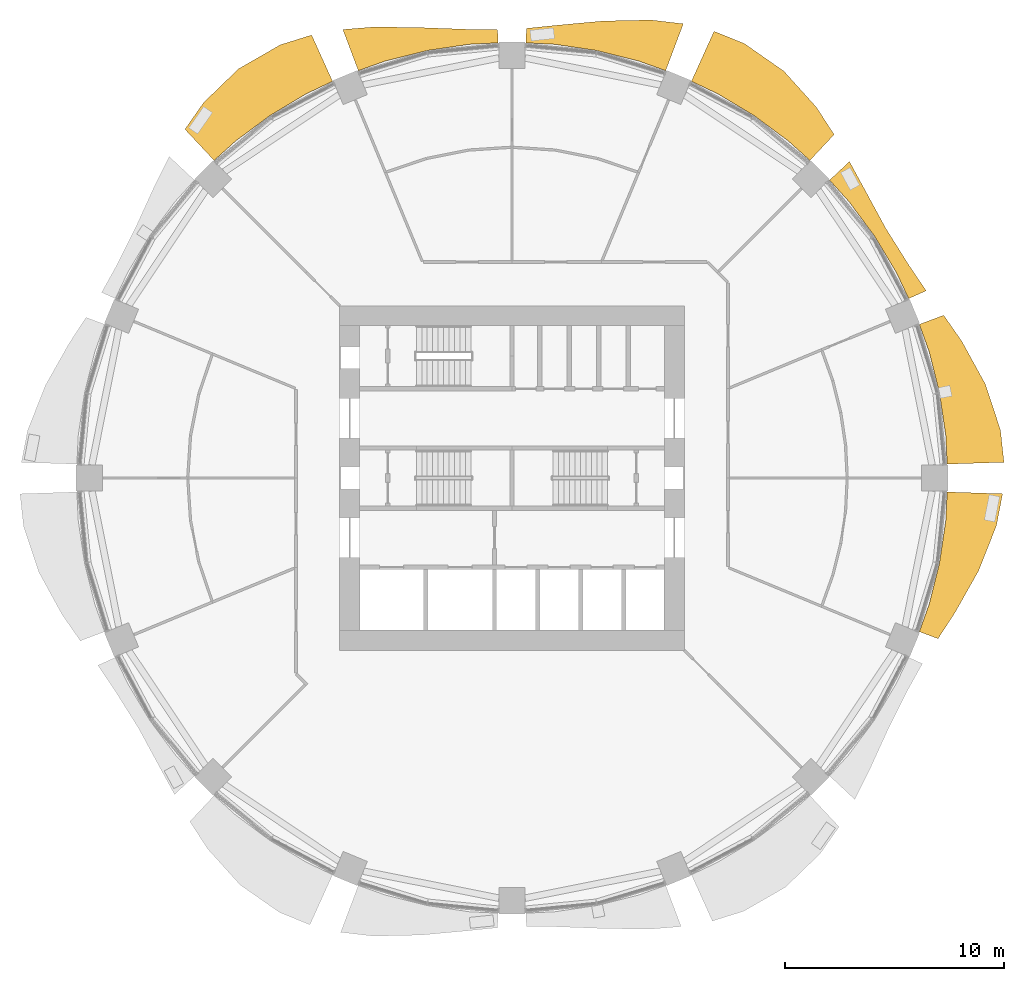
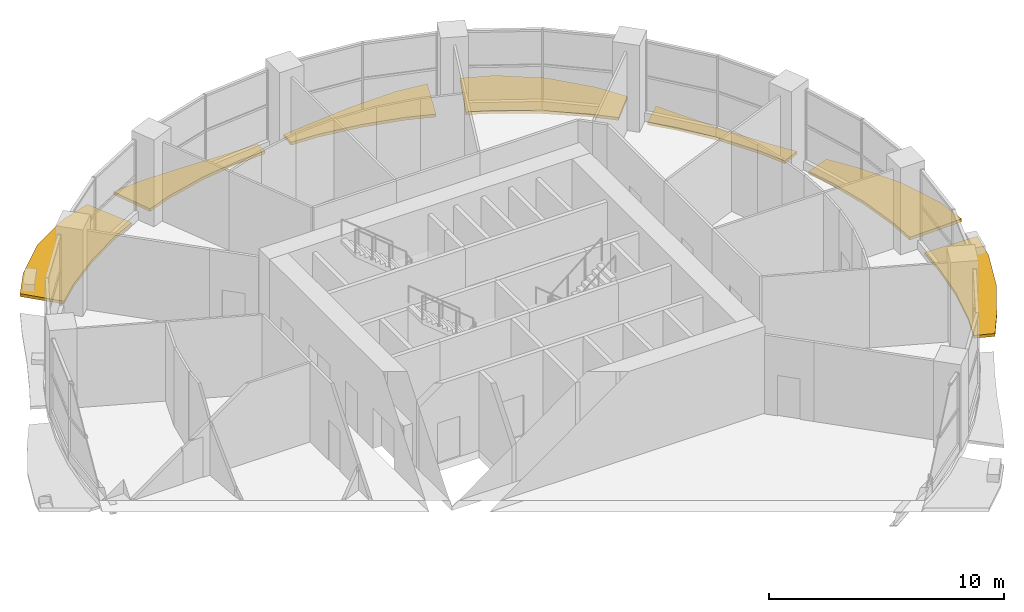
# One storey, part 13 of 14: 7 shading devices.
"""IFC4 building model written with IfcOpenShell, lengths in metres."""

from ifc_helpers import new_model, si_unit, direction, frame, origin, place, context, subcontext, project, spatial, polyline, outline, extrude, material, type_object, element, save


model = new_model("IFC4")

# Units and contexts
model_context = context("Model", 3, precision=1e-05, world=origin(), true_north=direction((0.0, 1.0)))
body_context = subcontext(model_context, "Body", "Model", "MODEL_VIEW")
ifc_project = project(units=[si_unit("LENGTHUNIT", "METRE"), si_unit("AREAUNIT", "SQUARE_METRE"), si_unit("VOLUMEUNIT", "CUBIC_METRE"), si_unit("PLANEANGLEUNIT", "RADIAN"), si_unit("MASSUNIT", "GRAM", prefix="KILO")], contexts=[model_context])

# Site, building, storey
site_placement = place(None, origin())
site = spatial("IfcSite", under=ifc_project, at=site_placement, CompositionType="ELEMENT")
building_placement = place(site_placement, origin())
building = spatial("IfcBuilding", under=site, at=building_placement, Name="Polderwave Tower", CompositionType="ELEMENT")
storey_placement = place(building_placement, frame((0.0, 0.0, 9.89990234375)))
storey = spatial("IfcBuildingStorey", under=building, at=storey_placement, Name="L02", CompositionType="ELEMENT", Elevation=9.89990234375)

# Shading devices
ifc_material = material(Name="Terracotta", Category="masonry")
shading_device_type = type_object("IfcShadingDeviceType", Name="Terracotta sunshade band", PredefinedType="USERDEFINED", material=ifc_material)
shading_device_1_placement = place(storey_placement, frame((0.0, 0.0, -0.39990234375)))
element("IfcShadingDevice", 1, at=shading_device_1_placement, inside=storey, type_object=shading_device_type, Name="Sunshade band L02 1", ObjectType="SUNSHADE", PredefinedType="USERDEFINED", context=body_context, shape_type="SweptSolid", body=[
    extrude(outline(polyline([(19.888671875, 0.637451171875), (19.82421875, 1.952392578125), (19.537109375, 3.88623046875), (19.062255859375, 5.782470703125), (18.61865234375, 7.022216796875), (19.730224609375, 7.44140625), (20.566650390625, 6.23876953125), (21.62841796875, 4.30224609375), (22.324951171875, 2.19873046875), (22.487060546875, 0.720703125), (19.888671875, 0.637451171875)])), origin(), (0.0, 0.0, 1.0), 0.14990234375),
])
shading_device_2_placement = place(storey_placement, frame((0.0, 0.0, -0.39990234375)))
element("IfcShadingDevice", 2, at=shading_device_2_placement, inside=storey, type_object=shading_device_type, Name="Sunshade band L02 2", ObjectType="SUNSHADE", PredefinedType="USERDEFINED", context=body_context, shape_type="SweptSolid", body=[
    extrude(outline(polyline([(18.130859375, 8.199951171875), (17.56787109375, 9.39013671875), (16.56298828125, 11.06689453125), (15.3984375, 12.63720703125), (14.51416015625, 13.61279296875), (15.423583984375, 14.4658203125), (16.10400390625, 13.21630859375), (17.08251953125, 11.414306640625), (18.155029296875, 9.7041015625), (18.92919921875, 8.56103515625), (18.130859375, 8.199951171875)])), origin(), (0.0, 0.0, 1.0), 0.14990234375),
])
shading_device_3_placement = place(storey_placement, frame((0.0, 0.0, -0.39990234375)))
element("IfcShadingDevice", 3, at=shading_device_3_placement, inside=storey, type_object=shading_device_type, Name="Sunshade band L02 3", ObjectType="SUNSHADE", PredefinedType="USERDEFINED", context=body_context, shape_type="SweptSolid", body=[
    extrude(outline(polyline([(13.61279296875, 14.51416015625), (12.63720703125, 15.3984375), (11.06689453125, 16.56298828125), (9.39013671875, 17.56787109375), (8.199951171875, 18.130859375), (9.23486328125, 20.4189453125), (10.61572265625, 19.860595703125), (12.42626953125, 18.59716796875), (13.9111328125, 16.95068359375), (14.723388671875, 15.698486328125), (13.61279296875, 14.51416015625)])), origin(), (0.0, 0.0, 1.0), 0.14990234375),
])
shading_device_4_placement = place(storey_placement, frame((0.0, 0.0, -0.39990234375)))
element("IfcShadingDevice", 4, at=shading_device_4_placement, inside=storey, type_object=shading_device_type, Name="Sunshade band L02 4", ObjectType="SUNSHADE", PredefinedType="USERDEFINED", context=body_context, shape_type="SweptSolid", body=[
    extrude(outline(polyline([(7.022216796875, 18.61865234375), (5.782470703125, 19.062255859375), (3.88623046875, 19.537109375), (1.952392578125, 19.82421875), (0.637451171875, 19.888671875), (0.65869140625, 20.552734375), (2.0380859375, 20.693359375), (4.155029296875, 20.888427734375), (6.3505859375, 20.934814453125), (7.830322265625, 20.761474609375), (7.022216796875, 18.61865234375)])), origin(), (0.0, 0.0, 1.0), 0.14990234375),
])
shading_device_5_placement = place(storey_placement, frame((0.0, 0.0, -0.39990234375)))
element("IfcShadingDevice", 5, at=shading_device_5_placement, inside=storey, type_object=shading_device_type, Name="Sunshade band L02 5", ObjectType="SUNSHADE", PredefinedType="USERDEFINED", context=body_context, shape_type="SweptSolid", body=[
    extrude(outline(polyline([(-0.637451171875, 19.888671875), (-1.952392578125, 19.82421875), (-3.88623046875, 19.537109375), (-5.782470703125, 19.062255859375), (-7.022216796875, 18.61865234375), (-7.732177734375, 20.501220703125), (-6.2548828125, 20.6201171875), (-4.094482421875, 20.58447265625), (-2.02001953125, 20.5078125), (-0.65673828125, 20.48876953125), (-0.637451171875, 19.888671875)])), origin(), (0.0, 0.0, 1.0), 0.14990234375),
])
shading_device_6_placement = place(storey_placement, frame((0.0, 0.0, -0.39990234375)))
element("IfcShadingDevice", 6, at=shading_device_6_placement, inside=storey, type_object=shading_device_type, Name="Sunshade band L02 6", ObjectType="SUNSHADE", PredefinedType="USERDEFINED", context=body_context, shape_type="SweptSolid", body=[
    extrude(outline(polyline([(-8.199951171875, 18.130859375), (-9.39013671875, 17.56787109375), (-11.06689453125, 16.56298828125), (-12.63720703125, 15.3984375), (-13.61279296875, 14.51416015625), (-14.94873046875, 15.938720703125), (-14.088134765625, 17.16650390625), (-12.49755859375, 18.703857421875), (-10.584716796875, 19.802734375), (-9.15771484375, 20.248046875), (-8.199951171875, 18.130859375)])), origin(), (0.0, 0.0, 1.0), 0.14990234375),
])
shading_device_7_placement = place(storey_placement, frame((0.0, 0.0, -0.39990234375)))
element("IfcShadingDevice", 7, at=shading_device_7_placement, inside=storey, type_object=shading_device_type, Name="Sunshade band L02 16", ObjectType="SUNSHADE", PredefinedType="USERDEFINED", context=body_context, shape_type="SweptSolid", body=[
    extrude(outline(polyline([(18.61865234375, -7.022216796875), (19.062255859375, -5.782470703125), (19.537109375, -3.88623046875), (19.82421875, -1.952392578125), (19.888671875, -0.637451171875), (22.423095703125, -0.71875), (22.139404296875, -2.180419921875), (21.324462890625, -4.24169921875), (20.251953125, -6.143310546875), (19.469970703125, -7.34326171875), (18.61865234375, -7.022216796875)])), origin(), (0.0, 0.0, 1.0), 0.14990234375),
])

save(model, "model.ifc")
